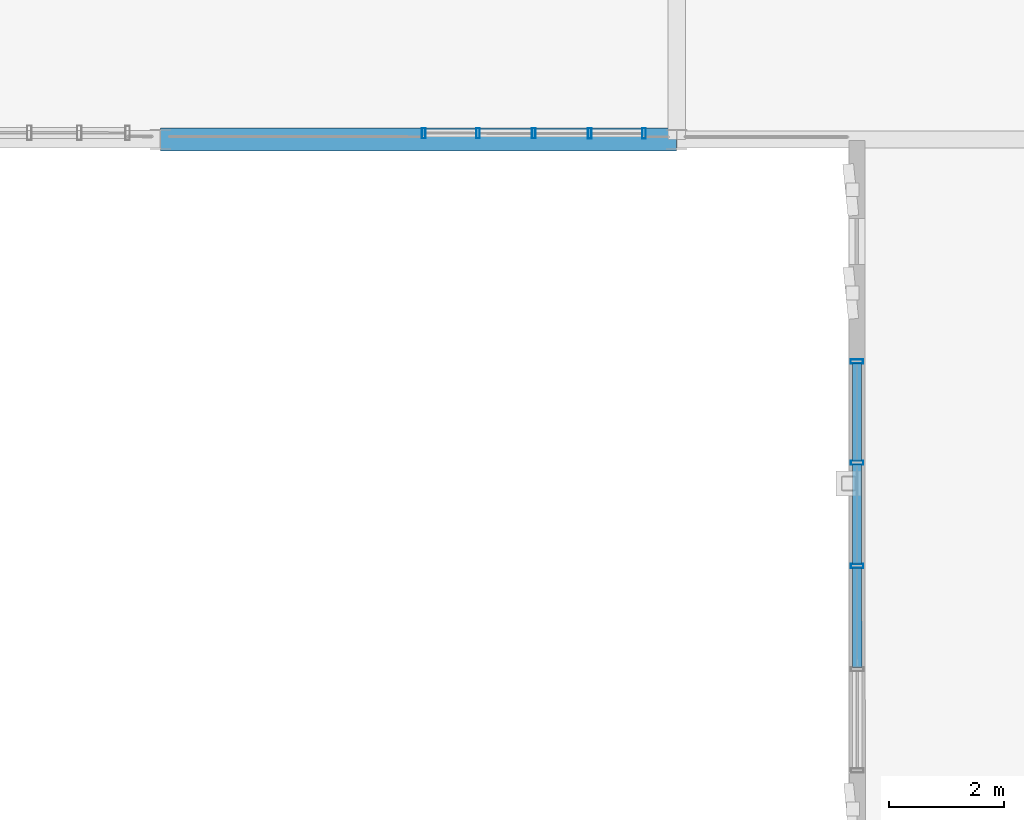
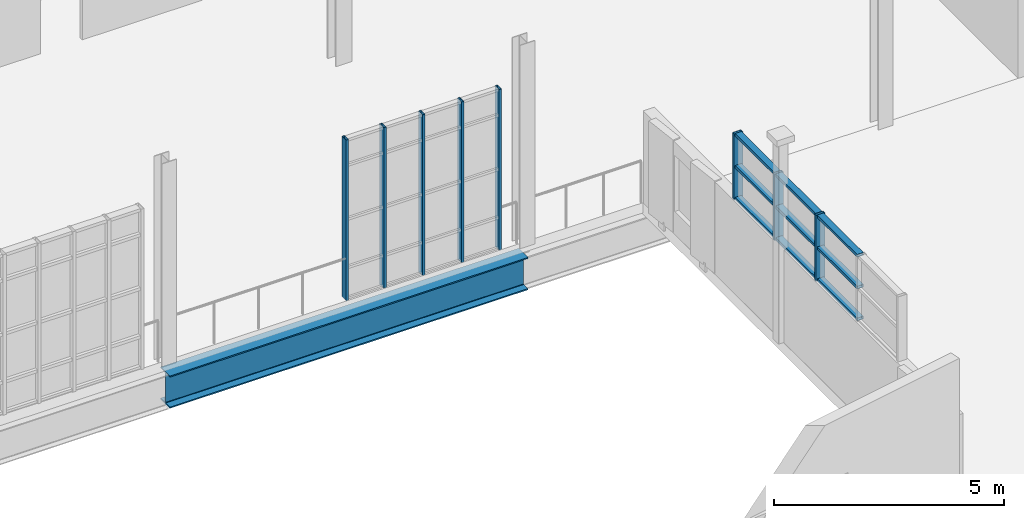
# One storey, part 46 of 142: 17 members, 1 beam, 2 elements without a shape of their own.
"""IFC4 building model written with IfcOpenShell, lengths in metres."""

from ifc_helpers import new_model, si_unit, direction, frame, origin, origin_2d, place, context, subcontext, project, spatial, hollow_rectangle, i_section, extrude, material, layer, layer_set, material_profile, profile_set, type_object, element, aggregate, save


model = new_model("IFC4")

# Units and contexts
model_context = context("Model", 3, precision=1e-05, world=origin(), true_north=direction((0.0, 1.0)))
body_context = subcontext(model_context, "Body", "Model", "MODEL_VIEW")
ifc_project = project(units=[si_unit("LENGTHUNIT", "METRE"), si_unit("AREAUNIT", "SQUARE_METRE"), si_unit("VOLUMEUNIT", "CUBIC_METRE"), si_unit("PLANEANGLEUNIT", "RADIAN"), si_unit("MASSUNIT", "GRAM", prefix="KILO"), si_unit("THERMODYNAMICTEMPERATUREUNIT", "KELVIN"), si_unit("POWERUNIT", "WATT")], contexts=[model_context])

# Site, building, storey
site_placement = place(None, origin())
site = spatial("IfcSite", under=ifc_project, at=site_placement, CompositionType="ELEMENT")
building_placement = place(site_placement, origin())
building = spatial("IfcBuilding", under=site, at=building_placement, Name="Zelmaris Science Centre", CompositionType="ELEMENT")
storey_placement = place(building_placement, frame((0.0, 0.0, 5.39990234375)))
storey = spatial("IfcBuildingStorey", under=building, at=storey_placement, Name="L01", CompositionType="ELEMENT", Elevation=5.39990234375)

# Curtain wall, members
ifc_material_1 = material(Name="Anodised architectural aluminium 6063-T6", Category="aluminium")
ifc_layer_1 = layer(ifc_material_1, 0.2099609375, Name="Anodised architectural aluminium 6063-T6")
ifc_layer_set_1 = layer_set([ifc_layer_1], Name="Anodised architectural aluminium 6063-T6")
curtain_wall_type_1 = type_object("IfcCurtainWallType", Name="Curtain Wall CW-03", PredefinedType="USERDEFINED", material=ifc_layer_set_1)
curtain_wall_1_placement = place(storey_placement, origin())
curtain_wall_1 = element("IfcCurtainWall", 1, at=curtain_wall_1_placement, inside=storey, type_object=curtain_wall_type_1, Name="L01 Unitised curtain wall 195", ObjectType="GLAZED CURTAIN WALL", PredefinedType="USERDEFINED")
ifc_material_profile_1 = material_profile(ifc_material_1, hollow_rectangle(XDim=0.06494140625, YDim=0.179931640625, WallThickness=0.00390625, at=origin_2d()), Name="ALU-MUL-65X180")
ifc_profile_set_1 = profile_set([ifc_material_profile_1], Name="Anodised architectural aluminium 6063-T6")
member_type_1 = type_object("IfcMemberType", Name="ALU-MUL-65X180", PredefinedType="MULLION", material=ifc_profile_set_1)
member_1_placement = place(storey_placement, frame((71.431640625, 64.105712890625, -0.014892578125), z_axis=(0.0, 0.0, 1.0), x_axis=(-0.999999576995, 0.000919788386, 0.0)))
member_1 = element("IfcMember", 2, at=member_1_placement, type_object=member_type_1, Name="CW-03 mullion 1", PredefinedType="MULLION", context=body_context, shape_type="SweptSolid", body=[
    extrude(hollow_rectangle(XDim=0.06494140625, YDim=0.179931640625, WallThickness=0.00390625, at=origin_2d()), origin(), (0.0, 0.0, 1.0), 4.26904296875),
])
member_2_placement = place(storey_placement, frame((70.485107421875, 64.106689453125, -0.014892578125), z_axis=(0.0, 0.0, 1.0), x_axis=(-0.999999576995, 0.000919788386, 0.0)))
member_2 = element("IfcMember", 3, at=member_2_placement, type_object=member_type_1, Name="CW-03 mullion 2", PredefinedType="MULLION", context=body_context, shape_type="SweptSolid", body=[
    extrude(hollow_rectangle(XDim=0.06494140625, YDim=0.179931640625, WallThickness=0.00390625, at=origin_2d()), origin(), (0.0, 0.0, 1.0), 4.26904296875),
])
member_3_placement = place(storey_placement, frame((69.510009765625, 64.107421875, -0.014892578125), z_axis=(0.0, 0.0, 1.0), x_axis=(-0.999999576995, 0.000919788386, 0.0)))
member_3 = element("IfcMember", 4, at=member_3_placement, type_object=member_type_1, Name="CW-03 mullion 3", PredefinedType="MULLION", context=body_context, shape_type="SweptSolid", body=[
    extrude(hollow_rectangle(XDim=0.06494140625, YDim=0.179931640625, WallThickness=0.00390625, at=origin_2d()), origin(), (0.0, 0.0, 1.0), 4.26904296875),
])
member_4_placement = place(storey_placement, frame((68.53515625, 64.1083984375, -0.014892578125), z_axis=(0.0, 0.0, 1.0), x_axis=(-0.999999576995, 0.000919788386, 0.0)))
member_4 = element("IfcMember", 5, at=member_4_placement, type_object=member_type_1, Name="CW-03 mullion 4", PredefinedType="MULLION", context=body_context, shape_type="SweptSolid", body=[
    extrude(hollow_rectangle(XDim=0.06494140625, YDim=0.179931640625, WallThickness=0.00390625, at=origin_2d()), origin(), (0.0, 0.0, 1.0), 4.26904296875),
])
member_5_placement = place(storey_placement, frame((67.588623046875, 64.109375, -0.014892578125), z_axis=(0.0, 0.0, 1.0), x_axis=(-0.999999576995, 0.000919788386, 0.0)))
member_5 = element("IfcMember", 6, at=member_5_placement, type_object=member_type_1, Name="CW-03 mullion 5", PredefinedType="MULLION", context=body_context, shape_type="SweptSolid", body=[
    extrude(hollow_rectangle(XDim=0.06494140625, YDim=0.179931640625, WallThickness=0.00390625, at=origin_2d()), origin(), (0.0, 0.0, 1.0), 4.26904296875),
])
aggregate(curtain_wall_1, [member_1, member_2, member_3, member_4, member_5])

ifc_layer_2 = layer(ifc_material_1, 0.199951171875, Name="Anodised architectural aluminium 6063-T6")
ifc_layer_set_2 = layer_set([ifc_layer_2], Name="Anodised architectural aluminium 6063-T6")
curtain_wall_type_2 = type_object("IfcCurtainWallType", Name="Curtain Wall CW-02", PredefinedType="USERDEFINED", material=ifc_layer_set_2)
curtain_wall_2_placement = place(storey_placement, origin())
curtain_wall_2 = element("IfcCurtainWall", 7, at=curtain_wall_2_placement, inside=storey, type_object=curtain_wall_type_2, Name="L01 Clerestory curtain wall 194", ObjectType="GLAZED CURTAIN WALL", PredefinedType="USERDEFINED")
ifc_material_profile_2 = material_profile(ifc_material_1, hollow_rectangle(XDim=0.074951171875, YDim=0.219970703125, WallThickness=0.0048828125, at=origin_2d()), Name="ALU-MUL-75X220")
ifc_profile_set_2 = profile_set([ifc_material_profile_2], Name="Anodised architectural aluminium 6063-T6")
member_type_2 = type_object("IfcMemberType", Name="ALU-MUL-75X220", PredefinedType="MULLION", material=ifc_profile_set_2)
member_6_placement = place(storey_placement, frame((75.148193359375, 56.561279296875, 2.420166015625), z_axis=(0.0, 0.0, 1.0), x_axis=(-0.000778416768, 0.999999697034, 0.0)))
member_6 = element("IfcMember", 8, at=member_6_placement, type_object=member_type_2, Name="CW-02 mullion 3", PredefinedType="MULLION", context=body_context, shape_type="SweptSolid", body=[
    extrude(hollow_rectangle(XDim=0.074951171875, YDim=0.219970703125, WallThickness=0.0048828125, at=origin_2d()), origin(), (0.0, 0.0, 1.0), 1.759033203125),
])
member_7_placement = place(storey_placement, frame((75.146728515625, 58.361328125, 2.420166015625), z_axis=(0.0, 0.0, 1.0), x_axis=(-0.000778416768, 0.999999697034, 0.0)))
member_7 = element("IfcMember", 9, at=member_7_placement, type_object=member_type_2, Name="CW-02 mullion 4", PredefinedType="MULLION", context=body_context, shape_type="SweptSolid", body=[
    extrude(hollow_rectangle(XDim=0.074951171875, YDim=0.219970703125, WallThickness=0.0048828125, at=origin_2d()), origin(), (0.0, 0.0, 1.0), 1.759033203125),
])
member_8_placement = place(storey_placement, frame((75.1455078125, 60.127685546875, 2.420166015625), z_axis=(0.0, 0.0, 1.0), x_axis=(-0.000778416768, 0.999999697034, 0.0)))
member_8 = element("IfcMember", 10, at=member_8_placement, type_object=member_type_2, Name="CW-02 mullion 5", PredefinedType="MULLION", context=body_context, shape_type="SweptSolid", body=[
    extrude(hollow_rectangle(XDim=0.074951171875, YDim=0.219970703125, WallThickness=0.0048828125, at=origin_2d()), origin(), (0.0, 0.0, 1.0), 1.759033203125),
])
ifc_material_profile_3 = material_profile(ifc_material_1, hollow_rectangle(XDim=0.074951171875, YDim=0.159912109375, WallThickness=0.00390625, at=origin_2d()), Name="ALU-TRN-75X160")
ifc_profile_set_3 = profile_set([ifc_material_profile_3], Name="Anodised architectural aluminium 6063-T6")
member_type_3 = type_object("IfcMemberType", Name="ALU-TRN-75X160", PredefinedType="USERDEFINED", material=ifc_profile_set_3)
member_9_placement = place(storey_placement, frame((75.149658203125, 54.794677734375, 2.45361328125), z_axis=(-0.000845189161, 0.999999642828, 0.0), x_axis=(0.0, 0.0, 1.0)))
member_9 = element("IfcMember", 11, at=member_9_placement, type_object=member_type_3, Name="CW-02 transom 2.1", ObjectType="TRANSOM", PredefinedType="USERDEFINED", context=body_context, shape_type="SweptSolid", body=[
    extrude(hollow_rectangle(XDim=0.074951171875, YDim=0.159912109375, WallThickness=0.00390625, at=origin_2d()), origin(), (0.0, 0.0, 1.0), 1.733154296875),
])
member_10_placement = place(storey_placement, frame((75.149658203125, 54.794677734375, 3.299560546875), z_axis=(-0.000845189161, 0.999999642828, 0.0), x_axis=(0.0, 0.0, 1.0)))
member_10 = element("IfcMember", 12, at=member_10_placement, type_object=member_type_3, Name="CW-02 transom 2.2", ObjectType="TRANSOM", PredefinedType="USERDEFINED", context=body_context, shape_type="SweptSolid", body=[
    extrude(hollow_rectangle(XDim=0.074951171875, YDim=0.159912109375, WallThickness=0.00390625, at=origin_2d()), origin(), (0.0, 0.0, 1.0), 1.733154296875),
])
member_11_placement = place(storey_placement, frame((75.149658203125, 54.794677734375, 4.1455078125), z_axis=(-0.000845189161, 0.999999642828, 0.0), x_axis=(0.0, 0.0, 1.0)))
member_11 = element("IfcMember", 13, at=member_11_placement, type_object=member_type_3, Name="CW-02 transom 2.3", ObjectType="TRANSOM", PredefinedType="USERDEFINED", context=body_context, shape_type="SweptSolid", body=[
    extrude(hollow_rectangle(XDim=0.074951171875, YDim=0.159912109375, WallThickness=0.00390625, at=origin_2d()), origin(), (0.0, 0.0, 1.0), 1.733154296875),
])
member_12_placement = place(storey_placement, frame((75.148193359375, 56.5947265625, 2.45361328125), z_axis=(-0.000704324378, 0.999999751964, 0.0), x_axis=(0.0, 0.0, 1.0)))
member_12 = element("IfcMember", 14, at=member_12_placement, type_object=member_type_3, Name="CW-02 transom 3.1", ObjectType="TRANSOM", PredefinedType="USERDEFINED", context=body_context, shape_type="SweptSolid", body=[
    extrude(hollow_rectangle(XDim=0.074951171875, YDim=0.159912109375, WallThickness=0.00390625, at=origin_2d()), origin(), (0.0, 0.0, 1.0), 1.733154296875),
])
member_13_placement = place(storey_placement, frame((75.148193359375, 56.5947265625, 3.299560546875), z_axis=(-0.000704324378, 0.999999751964, 0.0), x_axis=(0.0, 0.0, 1.0)))
member_13 = element("IfcMember", 15, at=member_13_placement, type_object=member_type_3, Name="CW-02 transom 3.2", ObjectType="TRANSOM", PredefinedType="USERDEFINED", context=body_context, shape_type="SweptSolid", body=[
    extrude(hollow_rectangle(XDim=0.074951171875, YDim=0.159912109375, WallThickness=0.00390625, at=origin_2d()), origin(), (0.0, 0.0, 1.0), 1.733154296875),
])
member_14_placement = place(storey_placement, frame((75.148193359375, 56.5947265625, 4.1455078125), z_axis=(-0.000704324378, 0.999999751964, 0.0), x_axis=(0.0, 0.0, 1.0)))
member_14 = element("IfcMember", 16, at=member_14_placement, type_object=member_type_3, Name="CW-02 transom 3.3", ObjectType="TRANSOM", PredefinedType="USERDEFINED", context=body_context, shape_type="SweptSolid", body=[
    extrude(hollow_rectangle(XDim=0.074951171875, YDim=0.159912109375, WallThickness=0.00390625, at=origin_2d()), origin(), (0.0, 0.0, 1.0), 1.733154296875),
])
member_15_placement = place(storey_placement, frame((75.146728515625, 58.394775390625, 2.45361328125), z_axis=(-0.000718287417, 0.999999742032, 0.0), x_axis=(0.0, 0.0, 1.0)))
member_15 = element("IfcMember", 17, at=member_15_placement, type_object=member_type_3, Name="CW-02 transom 4.1", ObjectType="TRANSOM", PredefinedType="USERDEFINED", context=body_context, shape_type="SweptSolid", body=[
    extrude(hollow_rectangle(XDim=0.074951171875, YDim=0.159912109375, WallThickness=0.00390625, at=origin_2d()), origin(), (0.0, 0.0, 1.0), 1.699462890625),
])
member_16_placement = place(storey_placement, frame((75.146728515625, 58.394775390625, 3.299560546875), z_axis=(-0.000718287417, 0.999999742032, 0.0), x_axis=(0.0, 0.0, 1.0)))
member_16 = element("IfcMember", 18, at=member_16_placement, type_object=member_type_3, Name="CW-02 transom 4.2", ObjectType="TRANSOM", PredefinedType="USERDEFINED", context=body_context, shape_type="SweptSolid", body=[
    extrude(hollow_rectangle(XDim=0.074951171875, YDim=0.159912109375, WallThickness=0.00390625, at=origin_2d()), origin(), (0.0, 0.0, 1.0), 1.699462890625),
])
member_17_placement = place(storey_placement, frame((75.146728515625, 58.394775390625, 4.1455078125), z_axis=(-0.000718287417, 0.999999742032, 0.0), x_axis=(0.0, 0.0, 1.0)))
member_17 = element("IfcMember", 19, at=member_17_placement, type_object=member_type_3, Name="CW-02 transom 4.3", ObjectType="TRANSOM", PredefinedType="USERDEFINED", context=body_context, shape_type="SweptSolid", body=[
    extrude(hollow_rectangle(XDim=0.074951171875, YDim=0.159912109375, WallThickness=0.00390625, at=origin_2d()), origin(), (0.0, 0.0, 1.0), 1.699462890625),
])
aggregate(curtain_wall_2, [member_6, member_7, member_8, member_9, member_10, member_11, member_12, member_13, member_14, member_15, member_16, member_17])

# Beam
ifc_material_2 = material(Name="Steel ASTM A992 Grade 50", Category="steel")
ifc_material_profile_4 = material_profile(ifc_material_2, i_section(OverallWidth=0.404052734375, OverallDepth=0.861083984375, WebThickness=0.019775390625, FlangeThickness=0.032470703125, FilletRadius=0.02001953125, at=origin_2d()), Name="W33X221")
ifc_profile_set_4 = profile_set([ifc_material_profile_4], Name="Steel ASTM A992 Grade 50")
beam_type = type_object("IfcBeamType", Name="Beam G-28 W33X221", PredefinedType="BEAM", material=ifc_profile_set_4)
beam_placement = place(storey_placement, frame((63.0, 64.0, -0.71044921875), z_axis=(1.0, 0.0, 0.0), x_axis=(0.0, 1.0, 0.0)))
element("IfcBeam", 20, at=beam_placement, inside=storey, type_object=beam_type, Name="L01 East-west girder 389", PredefinedType="BEAM", context=body_context, shape_type="SweptSolid", body=[
    extrude(i_section(OverallWidth=0.404052734375, OverallDepth=0.861083984375, WebThickness=0.019775390625, FlangeThickness=0.032470703125, FilletRadius=0.02001953125, at=origin_2d()), origin(), (0.0, 0.0, 1.0), 9.0),
])

save(model, "model.ifc")
